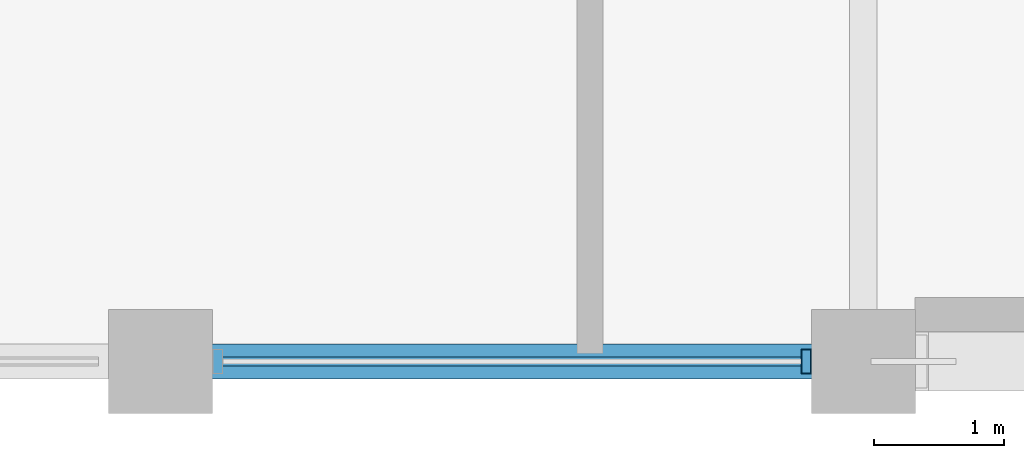
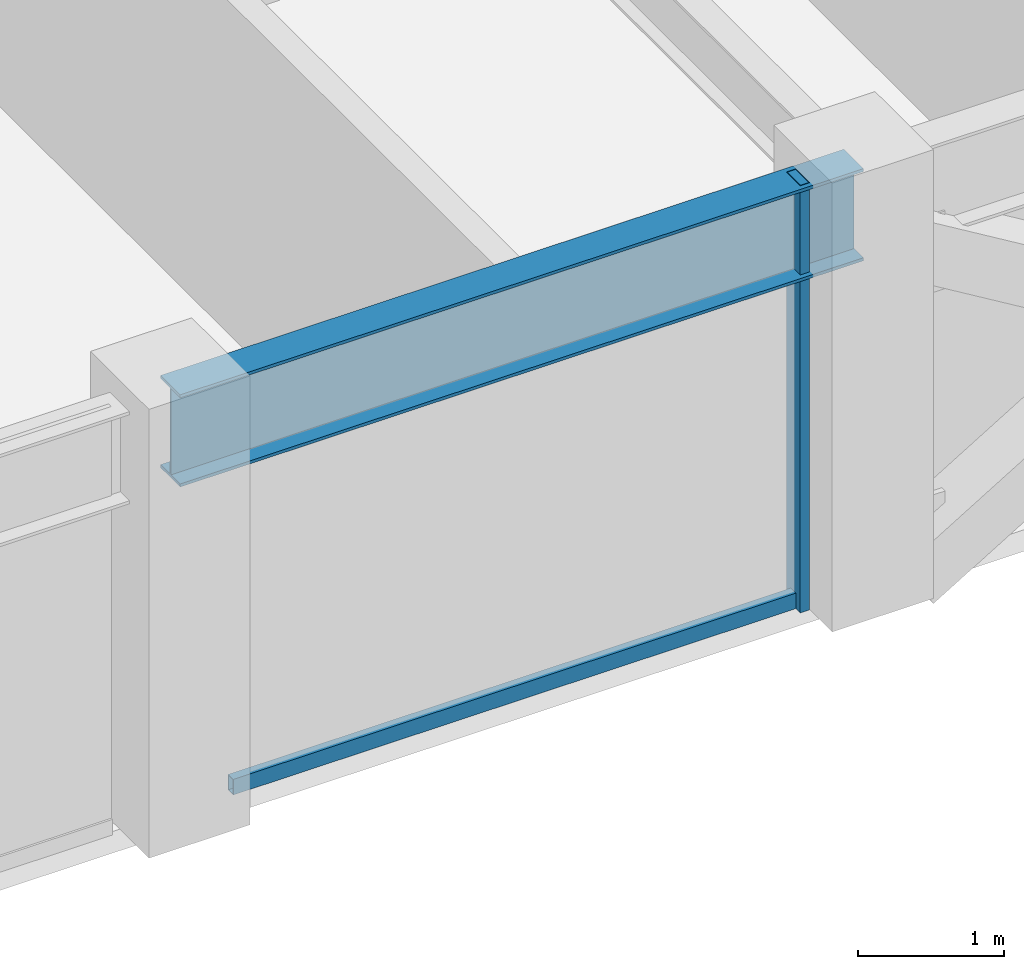
# One storey, part 3 of 32: 2 members, 1 beam, 1 element without a shape of its own.
"""IFC4 building model written with IfcOpenShell, lengths in metres."""

from ifc_helpers import new_model, si_unit, direction, frame, origin, origin_2d, place, context, subcontext, project, spatial, hollow_rectangle, i_section, extrude, material, layer, layer_set, material_profile, profile_set, type_object, element, aggregate, save


model = new_model("IFC4")

# Units and contexts
model_context = context("Model", 3, precision=1e-05, world=origin(), true_north=direction((0.0, 1.0)))
body_context = subcontext(model_context, "Body", "Model", "MODEL_VIEW")
ifc_project = project(units=[si_unit("LENGTHUNIT", "METRE"), si_unit("AREAUNIT", "SQUARE_METRE"), si_unit("VOLUMEUNIT", "CUBIC_METRE"), si_unit("PLANEANGLEUNIT", "RADIAN"), si_unit("MASSUNIT", "GRAM", prefix="KILO")], contexts=[model_context])

# Site, building, storey
site_placement = place(None, origin())
site = spatial("IfcSite", under=ifc_project, at=site_placement, CompositionType="ELEMENT")
building_placement = place(site_placement, origin())
building = spatial("IfcBuilding", under=site, at=building_placement, Name="Surkhivell Harbour Commons", CompositionType="ELEMENT")
storey_placement = place(building_placement, frame((0.0, 0.0, 219.75)))
storey = spatial("IfcBuildingStorey", under=building, at=storey_placement, Name="L57", CompositionType="ELEMENT", Elevation=219.75)

# Beam
ifc_material_1 = material(Name="Steel S355", Category="steel")
ifc_material_profile_1 = material_profile(ifc_material_1, i_section(OverallWidth=0.26806640625, OverallDepth=0.77001953125, WebThickness=0.015625, FlangeThickness=0.025390625, at=origin_2d()), Name="UB762x267x197")
ifc_profile_set_1 = profile_set([ifc_material_profile_1], Name="Steel S355")
beam_type = type_object("IfcBeamType", Name="BM-SPN-762", PredefinedType="SPANDREL", material=ifc_profile_set_1)
beam_placement = place(storey_placement, frame((-16.199951171875, -21.60009765625, 3.18505859375), z_axis=(1.0, 0.0, 0.0), x_axis=(0.0, 1.0, 0.0)))
element("IfcBeam", 1, at=beam_placement, inside=storey, type_object=beam_type, Name="L57 Tube Spandrel (-16.2,-21.6)", PredefinedType="SPANDREL", context=body_context, shape_type="SweptSolid", body=[
    extrude(i_section(OverallWidth=0.26806640625, OverallDepth=0.77001953125, WebThickness=0.015625, FlangeThickness=0.025390625, at=origin_2d()), origin(), (0.0, 0.0, 1.0), 5.39990234375),
])

# Curtain wall, members
ifc_material_2 = material(Name="Anodised pale-metal aluminium and insulated glazing", Category="aluminium")
ifc_layer = layer(ifc_material_2, 0.18994140625)
ifc_layer_set = layer_set([ifc_layer], Name="Anodised pale-metal aluminium and insulated glazing")
curtain_wall_type = type_object("IfcCurtainWallType", Name="CW-SYS-Z3", PredefinedType="NOTDEFINED", material=ifc_layer_set)
curtain_wall_placement = place(storey_placement, origin())
curtain_wall = element("IfcCurtainWall", 2, at=curtain_wall_placement, inside=storey, type_object=curtain_wall_type, Name="L57 Curtain Wall CW-L57-E00S1", PredefinedType="NOTDEFINED")
ifc_material_3 = material(Name="Anodised pale-metal aluminium alloy 6063-T6", Category="aluminium")
ifc_material_profile_2 = material_profile(ifc_material_3, hollow_rectangle(XDim=0.074951171875, YDim=0.18994140625, WallThickness=0.00390625, at=origin_2d()), Name="ALU-MULL-75x190")
ifc_profile_set_2 = profile_set([ifc_material_profile_2], Name="Anodised pale-metal aluminium alloy 6063-T6")
member_type_1 = type_object("IfcMemberType", Name="CWM-190", PredefinedType="MULLION", material=ifc_profile_set_2)
member_1_placement = place(storey_placement, frame((-11.239501953125, -21.60009765625, 0.0), z_axis=(0.0, 0.0, 1.0), x_axis=(1.0, 0.0, 0.0)))
member_1 = element("IfcMember", 3, at=member_1_placement, type_object=member_type_1, Name="CW-Z3 mullion 3", PredefinedType="MULLION", context=body_context, shape_type="SweptSolid", body=[
    extrude(hollow_rectangle(XDim=0.074951171875, YDim=0.18994140625, WallThickness=0.00390625, at=origin_2d()), origin(), (0.0, 0.0, 1.0), 3.570068359375),
])
ifc_material_4 = material(Name="Champagne anodised aluminium alloy 6063-T6", Category="aluminium")
ifc_material_profile_3 = material_profile(ifc_material_4, hollow_rectangle(XDim=0.070068359375, YDim=0.1298828125, WallThickness=0.00341796875, at=origin_2d()), Name="ALU-TRAN-70x130")
ifc_profile_set_3 = profile_set([ifc_material_profile_3], Name="Champagne anodised aluminium alloy 6063-T6")
member_type_2 = type_object("IfcMemberType", Name="CWT-130", PredefinedType="USERDEFINED", material=ifc_profile_set_3)
member_2_placement = place(storey_placement, frame((-15.722900390625, -21.60009765625, 0.06494140625), z_axis=(1.0, 0.0, 0.0), x_axis=(0.0, 1.0, 0.0)))
member_2 = element("IfcMember", 4, at=member_2_placement, type_object=member_type_2, Name="CW-Z3 transom 2.1", ObjectType="TRANSOM", PredefinedType="USERDEFINED", context=body_context, shape_type="SweptSolid", body=[
    extrude(hollow_rectangle(XDim=0.070068359375, YDim=0.1298828125, WallThickness=0.00341796875, at=origin_2d()), origin(), (0.0, 0.0, 1.0), 4.44580078125),
])
aggregate(curtain_wall, [member_1, member_2])

save(model, "model.ifc")
